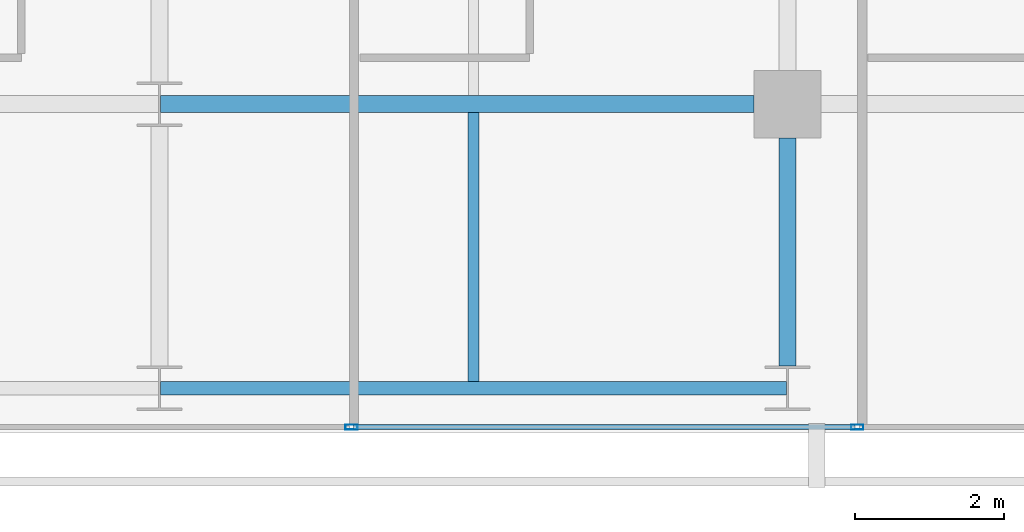
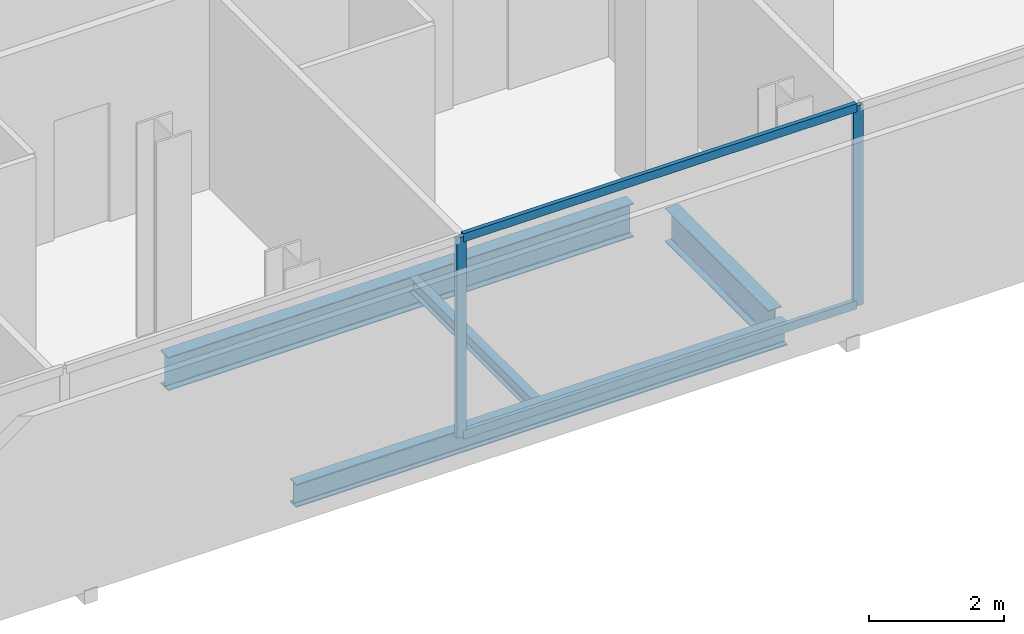
# One storey, part 12 of 33: 4 beams, 4 members, 1 element without a shape of its own.
"""IFC4 building model written with IfcOpenShell, lengths in metres."""

from ifc_helpers import new_model, si_unit, direction, frame, origin, origin_2d, place, context, subcontext, project, spatial, hollow_rectangle, i_section, extrude, material, layer, layer_set, material_profile, profile_set, type_object, element, aggregate, save


model = new_model("IFC4")

# Units and contexts
model_context = context("Model", 3, precision=1e-05, world=origin(), true_north=direction((0.0, 1.0)))
body_context = subcontext(model_context, "Body", "Model", "MODEL_VIEW")
ifc_project = project(units=[si_unit("LENGTHUNIT", "METRE"), si_unit("AREAUNIT", "SQUARE_METRE"), si_unit("VOLUMEUNIT", "CUBIC_METRE"), si_unit("PLANEANGLEUNIT", "RADIAN"), si_unit("MASSUNIT", "GRAM", prefix="KILO")], contexts=[model_context])

# Site, building, storey
site_placement = place(None, origin())
site = spatial("IfcSite", under=ifc_project, at=site_placement, CompositionType="ELEMENT")
building_placement = place(site_placement, origin())
building = spatial("IfcBuilding", under=site, at=building_placement, Name="Maruvema Waterfront Hotel and Observation Tower", CompositionType="ELEMENT")
storey_placement = place(building_placement, frame((0.0, 0.0, 158.199951171875)))
storey = spatial("IfcBuildingStorey", under=building, at=storey_placement, Name="L38", CompositionType="ELEMENT", Elevation=158.199951171875)

# Curtain wall, members
ifc_material_1 = material(Name="Anodised bronze aluminium and solar-control low-E IGU", Category="aluminium")
ifc_layer = layer(ifc_material_1, 0.159912109375, Name="Zone 2 Amber Inner Thermal Curtain Wall System CW-03")
ifc_layer_set = layer_set([ifc_layer], Name="Anodised bronze aluminium and solar-control low-E IGU")
curtain_wall_type = type_object("IfcCurtainWallType", Name="Zone 2 Amber Inner Thermal Curtain Wall System CW-03", PredefinedType="USERDEFINED", material=ifc_layer_set)
curtain_wall_placement = place(storey_placement, origin())
curtain_wall = element("IfcCurtainWall", 1, at=curtain_wall_placement, inside=storey, type_object=curtain_wall_type, Name="L38 Curtain Wall CW-L38-S", ObjectType="UNITISED CURTAIN WALL", PredefinedType="USERDEFINED")
ifc_material_2 = material(Name="Anodised architectural bronze aluminium", Category="aluminium")
ifc_material_profile_1 = material_profile(ifc_material_2, hollow_rectangle(XDim=0.070068359375, YDim=0.14990234375, WallThickness=0.00390625, at=origin_2d()), Name="ALU-T70x150")
ifc_profile_set_1 = profile_set([ifc_material_profile_1], Name="Anodised architectural bronze aluminium")
member_type_1 = type_object("IfcMemberType", Name="Curtain Wall Horizontal Transom ALU-T70x150", PredefinedType="USERDEFINED", material=ifc_profile_set_1)
member_1_placement = place(storey_placement, frame((44.5966796875, 4.679931640625, 0.030029296875), z_axis=(1.0, 0.0, 0.0), x_axis=(0.0, 1.0, 0.0)))
member_1 = element("IfcMember", 2, at=member_1_placement, type_object=member_type_1, Name="CW-03 transom 5.1", ObjectType="TRANSOM", PredefinedType="USERDEFINED", context=body_context, shape_type="SweptSolid", body=[
    extrude(hollow_rectangle(XDim=0.070068359375, YDim=0.14990234375, WallThickness=0.00390625, at=origin_2d()), origin(), (0.0, 0.0, 1.0), 6.70654296875),
])
member_2_placement = place(storey_placement, frame((44.5966796875, 4.679931640625, 3.580078125), z_axis=(1.0, 0.0, 0.0), x_axis=(0.0, 1.0, 0.0)))
member_2 = element("IfcMember", 3, at=member_2_placement, type_object=member_type_1, Name="CW-03 transom 5.2", ObjectType="TRANSOM", PredefinedType="USERDEFINED", context=body_context, shape_type="SweptSolid", body=[
    extrude(hollow_rectangle(XDim=0.070068359375, YDim=0.14990234375, WallThickness=0.00390625, at=origin_2d()), origin(), (0.0, 0.0, 1.0), 6.70654296875),
])
ifc_material_3 = material(Name="Anodised architectural bronze aluminium", Category="aluminium")
ifc_material_profile_2 = material_profile(ifc_material_3, hollow_rectangle(XDim=0.06494140625, YDim=0.1650390625, WallThickness=0.00390625, at=origin_2d()), Name="ALU-M65x165")
ifc_profile_set_2 = profile_set([ifc_material_profile_2], Name="Anodised architectural bronze aluminium")
member_type_2 = type_object("IfcMemberType", Name="Curtain Wall Primary Mullion ALU-M65x165", PredefinedType="MULLION", material=ifc_profile_set_2)
member_3_placement = place(storey_placement, frame((44.566650390625, 4.679931640625, 0.0), z_axis=(0.0, 0.0, 1.0), x_axis=(0.0, 1.0, 0.0)))
member_3 = element("IfcMember", 4, at=member_3_placement, type_object=member_type_2, Name="CW-03 mullion 5", PredefinedType="MULLION", context=body_context, shape_type="SweptSolid", body=[
    extrude(hollow_rectangle(XDim=0.06494140625, YDim=0.1650390625, WallThickness=0.00390625, at=origin_2d()), origin(), (0.0, 0.0, 1.0), 3.610107421875),
])
member_4_placement = place(storey_placement, frame((51.333251953125, 4.679931640625, 0.0), z_axis=(0.0, 0.0, 1.0), x_axis=(0.0, 1.0, 0.0)))
member_4 = element("IfcMember", 5, at=member_4_placement, type_object=member_type_2, Name="CW-03 mullion 6", PredefinedType="MULLION", context=body_context, shape_type="SweptSolid", body=[
    extrude(hollow_rectangle(XDim=0.06494140625, YDim=0.1650390625, WallThickness=0.00390625, at=origin_2d()), origin(), (0.0, 0.0, 1.0), 3.610107421875),
])
aggregate(curtain_wall, [member_3, member_4, member_1, member_2])

# Beams
ifc_material_4 = material(Name="Steel ASTM A572 Grade 50", Category="steel")
ifc_material_profile_3 = material_profile(ifc_material_4, i_section(OverallWidth=0.180908203125, OverallDepth=0.4169921875, WebThickness=0.010986328125, FlangeThickness=0.018310546875, FilletRadius=0.014892578125, at=origin_2d()), Name="W410x85.0")
ifc_profile_set_3 = profile_set([ifc_material_profile_3], Name="Steel ASTM A572 Grade 50")
beam_type_1 = type_object("IfcBeamType", Name="Perimeter Spandrel Beam W410x85.0", PredefinedType="SPANDREL", material=ifc_profile_set_3)
beam_1_placement = place(storey_placement, frame((42.012451171875, 5.199951171875, -0.448486328125), z_axis=(1.0, 0.0, 0.0), x_axis=(0.0, 1.0, 0.0)))
element("IfcBeam", 6, at=beam_1_placement, inside=storey, type_object=beam_type_1, Name="L38 Floor Girder EW-03", PredefinedType="SPANDREL", context=body_context, shape_type="SweptSolid", body=[
    extrude(i_section(OverallWidth=0.180908203125, OverallDepth=0.4169921875, WebThickness=0.010986328125, FlangeThickness=0.018310546875, FilletRadius=0.014892578125, at=origin_2d()), origin(), (0.0, 0.0, 1.0), 8.375),
])
ifc_material_5 = material(Name="Steel ASTM A572 Grade 50", Category="steel")
ifc_material_profile_4 = material_profile(ifc_material_5, i_section(OverallWidth=0.22802734375, OverallDepth=0.60302734375, WebThickness=0.010498046875, FlangeThickness=0.014892578125, FilletRadius=0.01806640625, at=origin_2d()), Name="W610x101.0")
ifc_profile_set_4 = profile_set([ifc_material_profile_4], Name="Steel ASTM A572 Grade 50")
beam_type_2 = type_object("IfcBeamType", Name="Primary Floor Girder W610x101.0", PredefinedType="BEAM", material=ifc_profile_set_4)
beam_2_placement = place(storey_placement, frame((42.012451171875, 9.0, -0.54150390625), z_axis=(1.0, 0.0, 0.0), x_axis=(0.0, 1.0, 0.0)))
element("IfcBeam", 7, at=beam_2_placement, inside=storey, type_object=beam_type_2, Name="L38 Floor Girder EW-08", PredefinedType="BEAM", context=body_context, shape_type="SweptSolid", body=[
    extrude(i_section(OverallWidth=0.22802734375, OverallDepth=0.60302734375, WebThickness=0.010498046875, FlangeThickness=0.014892578125, FilletRadius=0.01806640625, at=origin_2d()), origin(), (0.0, 0.0, 1.0), 7.9375),
])
beam_3_placement = place(storey_placement, frame((50.39990234375, 5.5, -0.54150390625), z_axis=(0.0, 1.0, 0.0), x_axis=(-1.0, 0.0, 0.0)))
element("IfcBeam", 8, at=beam_3_placement, inside=storey, type_object=beam_type_2, Name="L38 Floor Girder NS-20", PredefinedType="BEAM", context=body_context, shape_type="SweptSolid", body=[
    extrude(i_section(OverallWidth=0.22802734375, OverallDepth=0.60302734375, WebThickness=0.010498046875, FlangeThickness=0.014892578125, FilletRadius=0.01806640625, at=origin_2d()), origin(), (0.0, 0.0, 1.0), 3.050048828125),
])
ifc_material_6 = material(Name="Steel ASTM A572 Grade 50", Category="steel")
ifc_material_profile_5 = material_profile(ifc_material_6, i_section(OverallWidth=0.14599609375, OverallDepth=0.258056640625, WebThickness=0.006103515625, FlangeThickness=0.009033203125, FilletRadius=0.012939453125, at=origin_2d()), Name="W250x32.7")
ifc_profile_set_5 = profile_set([ifc_material_profile_5], Name="Steel ASTM A572 Grade 50")
beam_type_3 = type_object("IfcBeamType", Name="Secondary Floor Joist W250x32.7", PredefinedType="JOIST", material=ifc_profile_set_5)
beam_4_placement = place(storey_placement, frame((46.199951171875, 5.29052734375, -0.368896484375), z_axis=(0.0, 1.0, 0.0), x_axis=(-1.0, 0.0, 0.0)))
element("IfcBeam", 9, at=beam_4_placement, inside=storey, type_object=beam_type_3, Name="L38 Secondary Floor Joist JS-09", PredefinedType="JOIST", context=body_context, shape_type="SweptSolid", body=[
    extrude(i_section(OverallWidth=0.14599609375, OverallDepth=0.258056640625, WebThickness=0.006103515625, FlangeThickness=0.009033203125, FilletRadius=0.012939453125, at=origin_2d()), origin(), (0.0, 0.0, 1.0), 3.595458984375),
])

save(model, "model.ifc")
